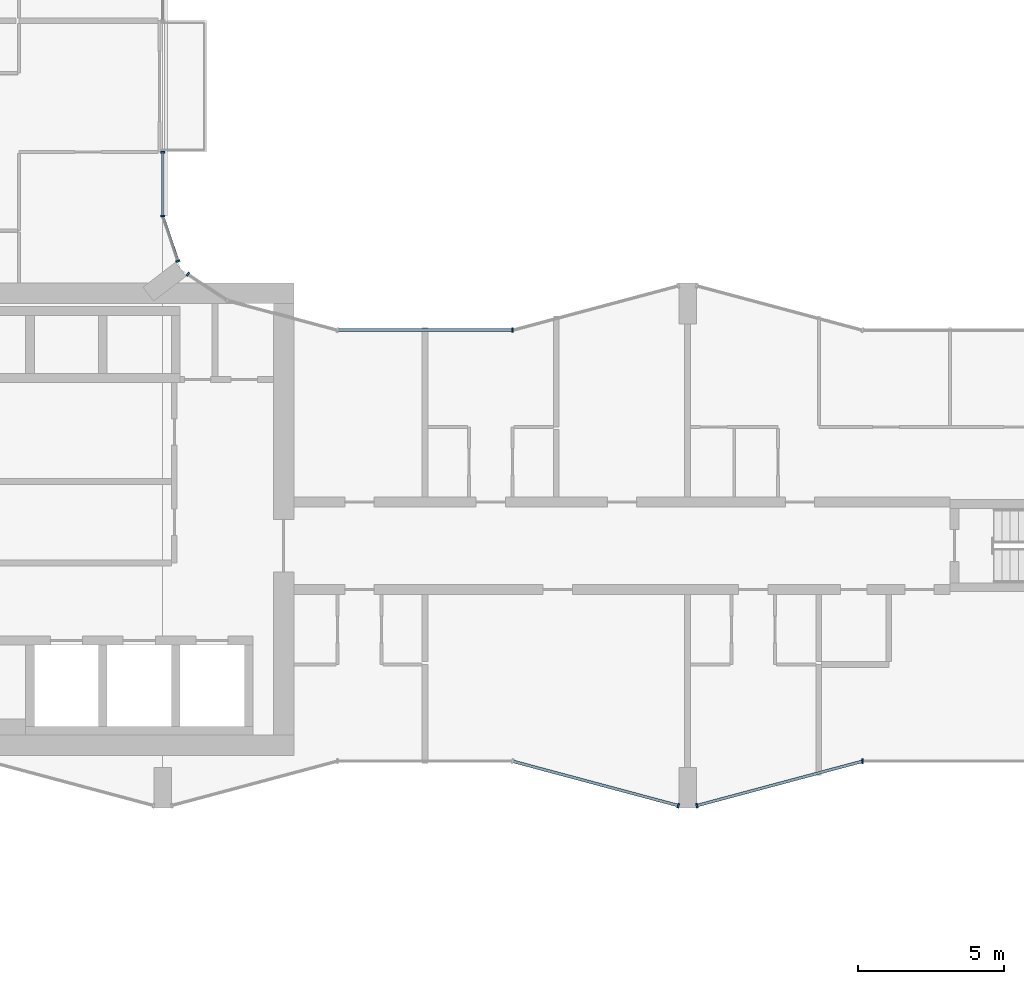
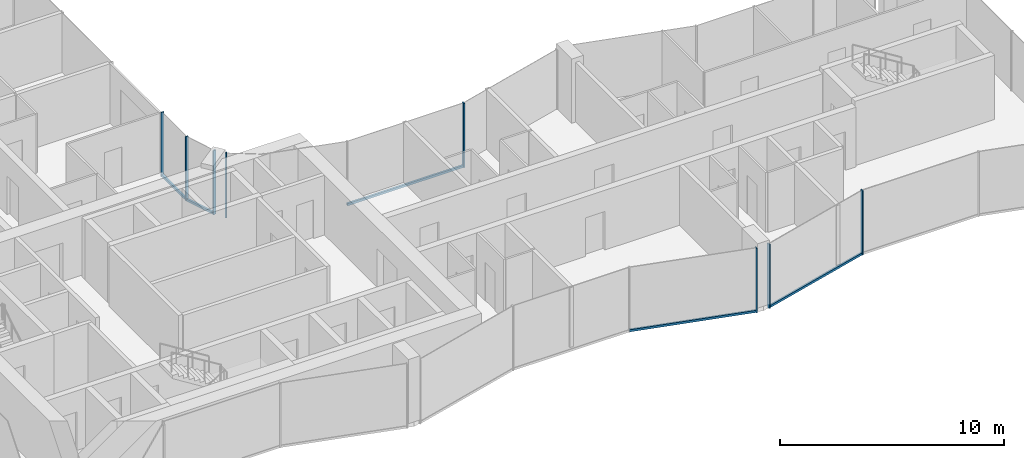
# One storey, part 4 of 22: 13 members, 7 elements without a shape of their own.
"""IFC4 building model written with IfcOpenShell, lengths in metres."""

from ifc_helpers import new_model, si_unit, direction, frame, origin, origin_2d, place, context, subcontext, project, spatial, rectangle, extrude, material, layer, layer_set, material_profile, profile_set, type_object, element, aggregate, save


model = new_model("IFC4")

# Units and contexts
model_context = context("Model", 3, precision=1e-05, world=origin(), true_north=direction((0.0, 1.0)))
body_context = subcontext(model_context, "Body", "Model", "MODEL_VIEW")
ifc_project = project(units=[si_unit("LENGTHUNIT", "METRE"), si_unit("AREAUNIT", "SQUARE_METRE"), si_unit("VOLUMEUNIT", "CUBIC_METRE"), si_unit("PLANEANGLEUNIT", "RADIAN"), si_unit("MASSUNIT", "GRAM", prefix="KILO")], contexts=[model_context])

# Site, building, storey
site_placement = place(None, origin())
site = spatial("IfcSite", under=ifc_project, at=site_placement, CompositionType="ELEMENT")
building_placement = place(site_placement, origin())
building = spatial("IfcBuilding", under=site, at=building_placement, Name="Plateau Cross Towers", CompositionType="ELEMENT")
storey_placement = place(building_placement, frame((0.0, 0.0, 61.800048828125)))
storey = spatial("IfcBuildingStorey", under=building, at=storey_placement, Name="L15", CompositionType="ELEMENT", Elevation=61.800048828125)

# Curtain wall, member
ifc_material_1 = material(Name="Dark low-iron glass", Category="glass")
ifc_layer_1 = layer(ifc_material_1, 0.239990234375)
ifc_layer_set_1 = layer_set([ifc_layer_1], Name="Dark low-iron glass")
curtain_wall_type_1 = type_object("IfcCurtainWallType", Name="Curtain wall flush unitised CW-B", PredefinedType="NOTDEFINED", material=ifc_layer_set_1)
curtain_wall_1_placement = place(storey_placement, origin())
curtain_wall_1 = element("IfcCurtainWall", 1, at=curtain_wall_1_placement, inside=storey, type_object=curtain_wall_type_1, Name="ENV/A/L15/A202_174", PredefinedType="NOTDEFINED")
ifc_material_2 = material(Name="Black anodised aluminium", Category="aluminium")
ifc_material_profile_1 = material_profile(ifc_material_2, rectangle(XDim=0.06005859375, YDim=0.139892578125, at=origin_2d()), Name="MULLION 60x140")
ifc_profile_set_1 = profile_set([ifc_material_profile_1], Name="Black anodised aluminium")
member_type_1 = type_object("IfcMemberType", Name="Mullion 60x140 flush unitised", PredefinedType="MULLION", material=ifc_profile_set_1)
member_1_placement = place(storey_placement, frame((18.86962890625, 18.30908203125, -0.25), z_axis=(0.0, 0.0, 1.0), x_axis=(-0.831521253329, 0.555492938984, 0.0)))
member_1 = element("IfcMember", 2, at=member_1_placement, type_object=member_type_1, Name="CW-B mullion 2", PredefinedType="MULLION", context=body_context, shape_type="SweptSolid", body=[
    extrude(rectangle(XDim=0.06005859375, YDim=0.139892578125, at=origin_2d()), origin(), (0.0, 0.0, 1.0), 3.5),
])
aggregate(curtain_wall_1, [member_1])

curtain_wall_2_placement = place(storey_placement, origin())
curtain_wall_2 = element("IfcCurtainWall", 3, at=curtain_wall_2_placement, inside=storey, type_object=curtain_wall_type_1, Name="ENV/A/L15/A185_188", PredefinedType="NOTDEFINED")
member_2_placement = place(storey_placement, frame((18.523681640625, 18.760009765625, -0.25), z_axis=(0.0, 0.0, 1.0), x_axis=(-0.321469161574, 0.94692004845, 0.0)))
member_2 = element("IfcMember", 4, at=member_2_placement, type_object=member_type_1, Name="CW-B mullion 1", PredefinedType="MULLION", context=body_context, shape_type="SweptSolid", body=[
    extrude(rectangle(XDim=0.06005859375, YDim=0.139892578125, at=origin_2d()), origin(), (0.0, 0.0, 1.0), 3.5),
])

# Curtain wall, members
curtain_wall_3_placement = place(storey_placement, origin())
curtain_wall_3 = element("IfcCurtainWall", 5, at=curtain_wall_3_placement, inside=storey, type_object=curtain_wall_type_1, Name="ENV/A/L15/A180_203", PredefinedType="NOTDEFINED")
member_3_placement = place(storey_placement, frame((18.0, 20.30224609375, -0.25), z_axis=(0.0, 0.0, 1.0), x_axis=(0.0, 1.0, 0.0)))
member_3 = element("IfcMember", 6, at=member_3_placement, type_object=member_type_1, Name="CW-B mullion 1", PredefinedType="MULLION", context=body_context, shape_type="SweptSolid", body=[
    extrude(rectangle(XDim=0.06005859375, YDim=0.139892578125, at=origin_2d()), origin(), (0.0, 0.0, 1.0), 3.5),
])
member_4_placement = place(storey_placement, frame((18.0, 22.489990234375, -0.25), z_axis=(0.0, 0.0, 1.0), x_axis=(0.0, 1.0, 0.0)))
member_4 = element("IfcMember", 7, at=member_4_placement, type_object=member_type_1, Name="CW-B mullion 2", PredefinedType="MULLION", context=body_context, shape_type="SweptSolid", body=[
    extrude(rectangle(XDim=0.06005859375, YDim=0.139892578125, at=origin_2d()), origin(), (0.0, 0.0, 1.0), 3.5),
])

# Curtain wall, member
ifc_layer_2 = layer(ifc_material_1, 0.260009765625)
ifc_layer_set_2 = layer_set([ifc_layer_2], Name="Dark low-iron glass")
curtain_wall_type_2 = type_object("IfcCurtainWallType", Name="Curtain wall fluted unitised CW-A", PredefinedType="NOTDEFINED", material=ifc_layer_set_2)
curtain_wall_4_placement = place(storey_placement, origin())
curtain_wall_4 = element("IfcCurtainWall", 8, at=curtain_wall_4_placement, inside=storey, type_object=curtain_wall_type_2, Name="ENV/A/L15/A300_16", PredefinedType="NOTDEFINED")
ifc_material_profile_2 = material_profile(ifc_material_2, rectangle(XDim=0.06005859375, YDim=0.159912109375, at=origin_2d()), Name="MULLION 60x160")
ifc_profile_set_2 = profile_set([ifc_material_profile_2], Name="Black anodised aluminium")
member_type_2 = type_object("IfcMemberType", Name="Mullion 60x160 fluted unitised", PredefinedType="MULLION", material=ifc_profile_set_2)
member_5_placement = place(storey_placement, frame((35.68212890625, 0.085205078125, -0.25), z_axis=(0.0, 0.0, 1.0), x_axis=(0.965957983404, -0.258699003279, 0.0)))
member_5 = element("IfcMember", 9, at=member_5_placement, type_object=member_type_2, Name="CW-A mullion 2", PredefinedType="MULLION", context=body_context, shape_type="SweptSolid", body=[
    extrude(rectangle(XDim=0.06005859375, YDim=0.159912109375, at=origin_2d()), origin(), (0.0, 0.0, 1.0), 3.5),
])

curtain_wall_5_placement = place(storey_placement, origin())
curtain_wall_5 = element("IfcCurtainWall", 10, at=curtain_wall_5_placement, inside=storey, type_object=curtain_wall_type_2, Name="ENV/A/L15/A363_1", PredefinedType="NOTDEFINED")
member_6_placement = place(storey_placement, frame((36.31787109375, 0.085205078125, -0.25), z_axis=(0.0, 0.0, 1.0), x_axis=(0.965957983404, 0.258699003279, 0.0)))
member_6 = element("IfcMember", 11, at=member_6_placement, type_object=member_type_2, Name="CW-A mullion 1", PredefinedType="MULLION", context=body_context, shape_type="SweptSolid", body=[
    extrude(rectangle(XDim=0.06005859375, YDim=0.159912109375, at=origin_2d()), origin(), (0.0, 0.0, 1.0), 3.5),
])

curtain_wall_6_placement = place(storey_placement, origin())
curtain_wall_6 = element("IfcCurtainWall", 12, at=curtain_wall_6_placement, inside=storey, type_object=curtain_wall_type_2, Name="ENV/A/L15/A420_16", PredefinedType="NOTDEFINED")
member_7_placement = place(storey_placement, frame((42.0, 1.60693359375, -0.25), z_axis=(0.0, 0.0, 1.0), x_axis=(1.0, 0.0, 0.0)))
member_7 = element("IfcMember", 13, at=member_7_placement, type_object=member_type_2, Name="CW-A mullion 1", PredefinedType="MULLION", context=body_context, shape_type="SweptSolid", body=[
    extrude(rectangle(XDim=0.06005859375, YDim=0.159912109375, at=origin_2d()), origin(), (0.0, 0.0, 1.0), 3.5),
])
aggregate(curtain_wall_6, [member_7])

curtain_wall_7_placement = place(storey_placement, origin())
curtain_wall_7 = element("IfcCurtainWall", 14, at=curtain_wall_7_placement, inside=storey, type_object=curtain_wall_type_2, Name="ENV/A/L15/A300_164", PredefinedType="NOTDEFINED")
member_8_placement = place(storey_placement, frame((30.0, 16.39306640625, -0.25), z_axis=(0.0, 0.0, 1.0), x_axis=(-1.0, 0.0, 0.0)))
member_8 = element("IfcMember", 15, at=member_8_placement, type_object=member_type_2, Name="CW-A mullion 1", PredefinedType="MULLION", context=body_context, shape_type="SweptSolid", body=[
    extrude(rectangle(XDim=0.06005859375, YDim=0.159912109375, at=origin_2d()), origin(), (0.0, 0.0, 1.0), 3.5),
])

# Member
ifc_material_profile_3 = material_profile(ifc_material_2, rectangle(XDim=0.10009765625, YDim=0.1201171875, at=origin_2d()), Name="TRANSOM 100x120")
ifc_profile_set_3 = profile_set([ifc_material_profile_3], Name="Black anodised aluminium")
member_type_3 = type_object("IfcMemberType", Name="Transom 100x120 flush unitised", PredefinedType="USERDEFINED", material=ifc_profile_set_3)
member_9_placement = place(storey_placement, frame((18.523681640625, 18.760009765625, -0.18994140625), z_axis=(-0.321529174838, 0.946899672472, 0.0), x_axis=(-0.946899672472, -0.321529174838, 0.0)))
member_9 = element("IfcMember", 16, at=member_9_placement, type_object=member_type_3, Name="CW-B transom", ObjectType="TRANSOM", PredefinedType="USERDEFINED", context=body_context, shape_type="SweptSolid", body=[
    extrude(rectangle(XDim=0.10009765625, YDim=0.1201171875, at=origin_2d()), origin(), (0.0, 0.0, 1.0), 1.628662109375),
])

aggregate(curtain_wall_2, [member_2, member_9])

member_10_placement = place(storey_placement, frame((18.0, 20.30224609375, -0.18994140625), z_axis=(0.0, 1.0, 0.0), x_axis=(-1.0, 0.0, 0.0)))
member_10 = element("IfcMember", 17, at=member_10_placement, type_object=member_type_3, Name="CW-B transom", ObjectType="TRANSOM", PredefinedType="USERDEFINED", context=body_context, shape_type="SweptSolid", body=[
    extrude(rectangle(XDim=0.10009765625, YDim=0.1201171875, at=origin_2d()), origin(), (0.0, 0.0, 1.0), 2.187744140625),
])

aggregate(curtain_wall_3, [member_3, member_4, member_10])

ifc_material_profile_4 = material_profile(ifc_material_2, rectangle(XDim=0.10009765625, YDim=0.1201171875, at=origin_2d()), Name="TRANSOM 100x120")
ifc_profile_set_4 = profile_set([ifc_material_profile_4], Name="Black anodised aluminium")
member_type_4 = type_object("IfcMemberType", Name="Transom 100x120 fluted unitised", PredefinedType="USERDEFINED", material=ifc_profile_set_4)
member_11_placement = place(storey_placement, frame((30.0, 1.60693359375, -0.18994140625), z_axis=(0.965959534794, -0.258693210465, 0.0), x_axis=(0.258693210465, 0.965959534794, 0.0)))
member_11 = element("IfcMember", 18, at=member_11_placement, type_object=member_type_4, Name="CW-A transom", ObjectType="TRANSOM", PredefinedType="USERDEFINED", context=body_context, shape_type="SweptSolid", body=[
    extrude(rectangle(XDim=0.10009765625, YDim=0.1201171875, at=origin_2d()), origin(), (0.0, 0.0, 1.0), 5.88232421875),
])

aggregate(curtain_wall_4, [member_5, member_11])

member_12_placement = place(storey_placement, frame((36.31787109375, 0.085205078125, -0.18994140625), z_axis=(0.965959534794, 0.258693210465, 0.0), x_axis=(-0.258693210465, 0.965959534794, 0.0)))
member_12 = element("IfcMember", 19, at=member_12_placement, type_object=member_type_4, Name="CW-A transom", ObjectType="TRANSOM", PredefinedType="USERDEFINED", context=body_context, shape_type="SweptSolid", body=[
    extrude(rectangle(XDim=0.10009765625, YDim=0.1201171875, at=origin_2d()), origin(), (0.0, 0.0, 1.0), 5.88232421875),
])

aggregate(curtain_wall_5, [member_6, member_12])

member_13_placement = place(storey_placement, frame((30.0, 16.39306640625, -0.18994140625), z_axis=(-1.0, 0.0, 0.0), x_axis=(0.0, -1.0, 0.0)))
member_13 = element("IfcMember", 20, at=member_13_placement, type_object=member_type_4, Name="CW-A transom", ObjectType="TRANSOM", PredefinedType="USERDEFINED", context=body_context, shape_type="SweptSolid", body=[
    extrude(rectangle(XDim=0.10009765625, YDim=0.1201171875, at=origin_2d()), origin(), (0.0, 0.0, 1.0), 6.0),
])

aggregate(curtain_wall_7, [member_8, member_13])

save(model, "model.ifc")
